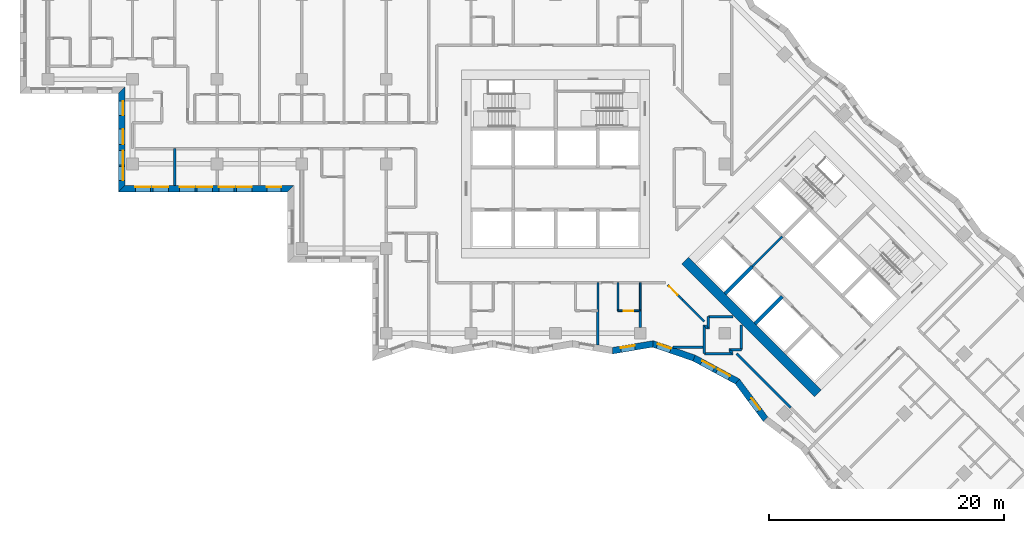
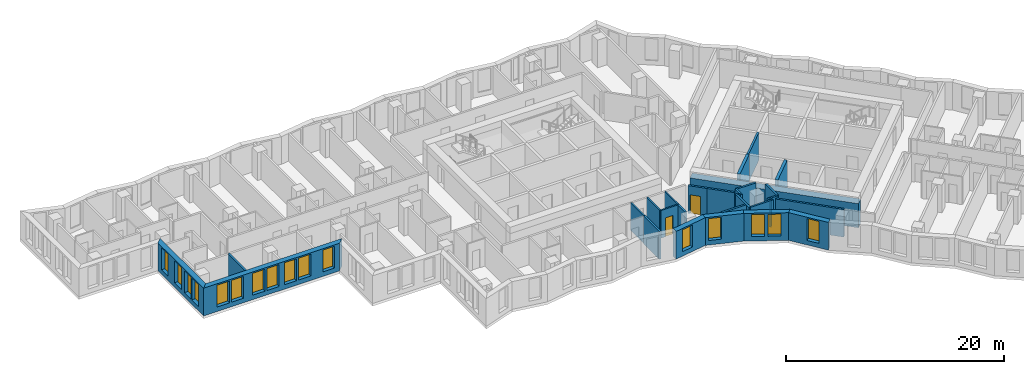
# One storey, part 3 of 13: 29 walls, 16 windows, 2 doors, 18 openings.
"""IFC4 building model written with IfcOpenShell, lengths in metres."""

from ifc_helpers import new_model, si_unit, direction, frame, frame_2d, origin, place, context, subcontext, project, spatial, polyline, rectangle, outline, extrude, material, layer, layer_set, type_object, element, fill, save


model = new_model("IFC4")

# Units and contexts
model_context = context("Model", 3, precision=1e-05, world=origin(), true_north=direction((0.0, 1.0)))
body_context = subcontext(model_context, "Body", "Model", "MODEL_VIEW")
ifc_project = project(units=[si_unit("LENGTHUNIT", "METRE"), si_unit("AREAUNIT", "SQUARE_METRE"), si_unit("VOLUMEUNIT", "CUBIC_METRE"), si_unit("PLANEANGLEUNIT", "RADIAN"), si_unit("MASSUNIT", "GRAM", prefix="KILO")], contexts=[model_context])

# Site, building, storey
site_placement = place(None, origin())
site = spatial("IfcSite", under=ifc_project, at=site_placement, CompositionType="ELEMENT")
building_placement = place(site_placement, origin())
building = spatial("IfcBuilding", under=site, at=building_placement, Name="Windrow Commons", CompositionType="ELEMENT")
storey_placement = place(building_placement, frame((0.0, 0.0, 111.8)))
storey = spatial("IfcBuildingStorey", under=building, at=storey_placement, Name="L30", CompositionType="ELEMENT", Elevation=111.8)

# Wall, openings, windows
ifc_material_1 = material(Name="Brick masonry, red clay brick", Category="masonry")
ifc_layer_1 = layer(ifc_material_1, 0.55)
ifc_layer_set_1 = layer_set([ifc_layer_1], Name="Brick facade wall 550")
wall_type_1 = type_object("IfcWallType", Name="Brick facade wall 550", PredefinedType="SOLIDWALL", material=ifc_layer_set_1)
wall_1_placement = place(storey_placement, frame((27.875, 63.875, 0.0), z_axis=(0.0, 0.0, 1.0), x_axis=(0.0, -1.0, 0.0)))
wall_1 = element("IfcWall", 1, at=wall_1_placement, inside=storey, type_object=wall_type_1, Name="Brick facade wall L30 39", PredefinedType="SOLIDWALL", context=body_context, shape_type="SweptSolid", body=[
    extrude(outline(polyline([(0.275, -0.275), (8.647, -0.275), (8.097, 0.275), (-0.275, 0.275), (0.275, -0.275)])), origin(), (0.0, 0.0, 1.0), 3.1),
])
opening_1_placement = place(wall_1_placement, frame((3.325, 0.0, 0.5)))
opening_1 = element("IfcOpeningElement", 2, at=opening_1_placement, cuts=wall_1, Name="Opening W1P", PredefinedType="OPENING", context=body_context, shape_type="SweptSolid", body=[
    extrude(rectangle(XDim=1.3, YDim=2.45, at=frame_2d((0.65, 1.225))), frame((0.0, 0.285, 0.0), z_axis=(0.0, -1.0, 0.0), x_axis=(1.0, 0.0, 0.0)), (0.0, 0.0, 1.0), 0.57),
])
opening_2_placement = place(wall_1_placement, frame((0.9375, 0.0, 0.5)))
opening_2 = element("IfcOpeningElement", 3, at=opening_2_placement, cuts=wall_1, Name="Opening W7D", PredefinedType="OPENING", context=body_context, shape_type="SweptSolid", body=[
    extrude(rectangle(XDim=1.2, YDim=2.45, at=frame_2d((0.6, 1.225))), frame((0.0, 0.285, 0.0), z_axis=(0.0, -1.0, 0.0), x_axis=(1.0, 0.0, 0.0)), (0.0, 0.0, 1.0), 0.57),
])
opening_3_placement = place(wall_1_placement, frame((6.486, 0.0, 0.5)))
opening_3 = element("IfcOpeningElement", 4, at=opening_3_placement, cuts=wall_1, Name="Opening W7D", PredefinedType="OPENING", context=body_context, shape_type="SweptSolid", body=[
    extrude(rectangle(XDim=1.2, YDim=2.45, at=frame_2d((0.6, 1.225))), frame((0.0, 0.285, 0.0), z_axis=(0.0, -1.0, 0.0), x_axis=(1.0, 0.0, 0.0)), (0.0, 0.0, 1.0), 0.57),
])
opening_4_placement = place(wall_1_placement, frame((5.1555, 0.0, 0.5)))
opening_4 = element("IfcOpeningElement", 5, at=opening_4_placement, cuts=wall_1, Name="Opening W7D", PredefinedType="OPENING", context=body_context, shape_type="SweptSolid", body=[
    extrude(rectangle(XDim=1.2, YDim=2.45, at=frame_2d((0.6, 1.225))), frame((0.0, 0.285, 0.0), z_axis=(0.0, -1.0, 0.0), x_axis=(1.0, 0.0, 0.0)), (0.0, 0.0, 1.0), 0.57),
])
ifc_material_2 = material(Name="Clear float glass in anodised aluminium frame", Category="aluminium")
window_type_1 = type_object("IfcWindowType", Name="Window W1P pair 1300x2450", PartitioningType="SINGLE_PANEL", PredefinedType="WINDOW", material=ifc_material_2)
window_1_placement = place(opening_1_placement, origin())
window_1 = element("IfcWindow", 6, at=window_1_placement, inside=storey, type_object=window_type_1, Name="Window L30 39.1A", OverallHeight=2.45, OverallWidth=1.3, PartitioningType="SINGLE_PANEL", PredefinedType="WINDOW", context=body_context, shape_type="SweptSolid", body=[
    extrude(rectangle(XDim=1.3, YDim=2.45, at=frame_2d((0.65, 1.225))), frame((0.0, 0.155, 0.0), z_axis=(0.0, -1.0, 0.0), x_axis=(1.0, 0.0, 0.0)), (0.0, 0.0, 1.0), 0.06),
])
fill(opening_1, window_1)
ifc_material_3 = material(Name="Clear float glass in anodised aluminium frame", Category="aluminium")
window_type_2 = type_object("IfcWindowType", Name="Window W7 notch 1200x2450", PartitioningType="SINGLE_PANEL", PredefinedType="WINDOW", material=ifc_material_3)
window_2_placement = place(opening_2_placement, origin())
window_2 = element("IfcWindow", 7, at=window_2_placement, inside=storey, type_object=window_type_2, Name="Window L30 39.2", OverallHeight=2.45, OverallWidth=1.2, PartitioningType="SINGLE_PANEL", PredefinedType="WINDOW", context=body_context, shape_type="SweptSolid", body=[
    extrude(rectangle(XDim=1.2, YDim=2.45, at=frame_2d((0.6, 1.225))), frame((0.0, 0.155, 0.0), z_axis=(0.0, -1.0, 0.0), x_axis=(1.0, 0.0, 0.0)), (0.0, 0.0, 1.0), 0.06),
])
fill(opening_2, window_2)
window_3_placement = place(opening_3_placement, origin())
window_3 = element("IfcWindow", 8, at=window_3_placement, inside=storey, type_object=window_type_2, Name="Window L30 39.3", OverallHeight=2.45, OverallWidth=1.2, PartitioningType="SINGLE_PANEL", PredefinedType="WINDOW", context=body_context, shape_type="SweptSolid", body=[
    extrude(rectangle(XDim=1.2, YDim=2.45, at=frame_2d((0.6, 1.225))), frame((0.0, 0.155, 0.0), z_axis=(0.0, -1.0, 0.0), x_axis=(1.0, 0.0, 0.0)), (0.0, 0.0, 1.0), 0.06),
])
fill(opening_3, window_3)
window_4_placement = place(opening_4_placement, origin())
window_4 = element("IfcWindow", 9, at=window_4_placement, inside=storey, type_object=window_type_2, Name="Window L30 39.1BA", OverallHeight=2.45, OverallWidth=1.2, PartitioningType="SINGLE_PANEL", PredefinedType="WINDOW", context=body_context, shape_type="SweptSolid", body=[
    extrude(rectangle(XDim=1.2, YDim=2.45, at=frame_2d((0.6, 1.225))), frame((0.0, 0.155, 0.0), z_axis=(0.0, -1.0, 0.0), x_axis=(1.0, 0.0, 0.0)), (0.0, 0.0, 1.0), 0.06),
])
fill(opening_4, window_4)

wall_2_placement = place(storey_placement, frame((27.875, 55.503, 0.0), z_axis=(0.0, 0.0, 1.0), x_axis=(1.0, 0.0, 0.0)))
wall_2 = element("IfcWall", 10, at=wall_2_placement, inside=storey, type_object=wall_type_1, Name="Brick facade wall L30 40", PredefinedType="SOLIDWALL", context=body_context, shape_type="SweptSolid", body=[
    extrude(outline(polyline([(-0.275, -0.275), (14.125, -0.275), (14.675, 0.275), (0.275, 0.275), (-0.275, -0.275)])), origin(), (0.0, 0.0, 1.0), 3.1),
])
opening_5_placement = place(wall_2_placement, frame((1.175, 0.0, 0.5)))
opening_5 = element("IfcOpeningElement", 11, at=opening_5_placement, cuts=wall_2, Name="Opening W1P", PredefinedType="OPENING", context=body_context, shape_type="SweptSolid", body=[
    extrude(rectangle(XDim=1.3, YDim=2.45, at=frame_2d((0.65, 1.225))), frame((0.0, 0.285, 0.0), z_axis=(0.0, -1.0, 0.0), x_axis=(1.0, 0.0, 0.0)), (0.0, 0.0, 1.0), 0.57),
])
opening_6_placement = place(wall_2_placement, frame((2.675, 0.0, 0.5)))
opening_6 = element("IfcOpeningElement", 12, at=opening_6_placement, cuts=wall_2, Name="Opening W1P", PredefinedType="OPENING", context=body_context, shape_type="SweptSolid", body=[
    extrude(rectangle(XDim=1.3, YDim=2.45, at=frame_2d((0.65, 1.225))), frame((0.0, 0.285, 0.0), z_axis=(0.0, -1.0, 0.0), x_axis=(1.0, 0.0, 0.0)), (0.0, 0.0, 1.0), 0.57),
])
opening_7_placement = place(wall_2_placement, frame((4.925, 0.0, 0.5)))
opening_7 = element("IfcOpeningElement", 13, at=opening_7_placement, cuts=wall_2, Name="Opening W1P", PredefinedType="OPENING", context=body_context, shape_type="SweptSolid", body=[
    extrude(rectangle(XDim=1.3, YDim=2.45, at=frame_2d((0.65, 1.225))), frame((0.0, 0.285, 0.0), z_axis=(0.0, -1.0, 0.0), x_axis=(1.0, 0.0, 0.0)), (0.0, 0.0, 1.0), 0.57),
])
opening_8_placement = place(wall_2_placement, frame((6.425, 0.0, 0.5)))
opening_8 = element("IfcOpeningElement", 14, at=opening_8_placement, cuts=wall_2, Name="Opening W1P", PredefinedType="OPENING", context=body_context, shape_type="SweptSolid", body=[
    extrude(rectangle(XDim=1.3, YDim=2.45, at=frame_2d((0.65, 1.225))), frame((0.0, 0.285, 0.0), z_axis=(0.0, -1.0, 0.0), x_axis=(1.0, 0.0, 0.0)), (0.0, 0.0, 1.0), 0.57),
])
opening_9_placement = place(wall_2_placement, frame((8.275, 0.0, 0.5)))
opening_9 = element("IfcOpeningElement", 15, at=opening_9_placement, cuts=wall_2, Name="Opening W1P", PredefinedType="OPENING", context=body_context, shape_type="SweptSolid", body=[
    extrude(rectangle(XDim=1.3, YDim=2.45, at=frame_2d((0.65, 1.225))), frame((0.0, 0.285, 0.0), z_axis=(0.0, -1.0, 0.0), x_axis=(1.0, 0.0, 0.0)), (0.0, 0.0, 1.0), 0.57),
])
opening_10_placement = place(wall_2_placement, frame((9.775, 0.0, 0.5)))
opening_10 = element("IfcOpeningElement", 16, at=opening_10_placement, cuts=wall_2, Name="Opening W1P", PredefinedType="OPENING", context=body_context, shape_type="SweptSolid", body=[
    extrude(rectangle(XDim=1.3, YDim=2.45, at=frame_2d((0.65, 1.225))), frame((0.0, 0.285, 0.0), z_axis=(0.0, -1.0, 0.0), x_axis=(1.0, 0.0, 0.0)), (0.0, 0.0, 1.0), 0.57),
])
opening_11_placement = place(wall_2_placement, frame((12.3625, 0.0, 0.5)))
opening_11 = element("IfcOpeningElement", 17, at=opening_11_placement, cuts=wall_2, Name="Opening W7D", PredefinedType="OPENING", context=body_context, shape_type="SweptSolid", body=[
    extrude(rectangle(XDim=1.2, YDim=2.45, at=frame_2d((0.6, 1.225))), frame((0.0, 0.285, 0.0), z_axis=(0.0, -1.0, 0.0), x_axis=(1.0, 0.0, 0.0)), (0.0, 0.0, 1.0), 0.57),
])
window_5_placement = place(opening_5_placement, origin())
window_5 = element("IfcWindow", 18, at=window_5_placement, inside=storey, type_object=window_type_1, Name="Window L30 40.1A", OverallHeight=2.45, OverallWidth=1.3, PartitioningType="SINGLE_PANEL", PredefinedType="WINDOW", context=body_context, shape_type="SweptSolid", body=[
    extrude(rectangle(XDim=1.3, YDim=2.45, at=frame_2d((0.65, 1.225))), frame((0.0, 0.155, 0.0), z_axis=(0.0, -1.0, 0.0), x_axis=(1.0, 0.0, 0.0)), (0.0, 0.0, 1.0), 0.06),
])
fill(opening_5, window_5)
window_6_placement = place(opening_6_placement, origin())
window_6 = element("IfcWindow", 19, at=window_6_placement, inside=storey, type_object=window_type_1, Name="Window L30 40.1B", OverallHeight=2.45, OverallWidth=1.3, PartitioningType="SINGLE_PANEL", PredefinedType="WINDOW", context=body_context, shape_type="SweptSolid", body=[
    extrude(rectangle(XDim=1.3, YDim=2.45, at=frame_2d((0.65, 1.225))), frame((0.0, 0.155, 0.0), z_axis=(0.0, -1.0, 0.0), x_axis=(1.0, 0.0, 0.0)), (0.0, 0.0, 1.0), 0.06),
])
fill(opening_6, window_6)
window_7_placement = place(opening_7_placement, origin())
window_7 = element("IfcWindow", 20, at=window_7_placement, inside=storey, type_object=window_type_1, Name="Window L30 40.2A", OverallHeight=2.45, OverallWidth=1.3, PartitioningType="SINGLE_PANEL", PredefinedType="WINDOW", context=body_context, shape_type="SweptSolid", body=[
    extrude(rectangle(XDim=1.3, YDim=2.45, at=frame_2d((0.65, 1.225))), frame((0.0, 0.155, 0.0), z_axis=(0.0, -1.0, 0.0), x_axis=(1.0, 0.0, 0.0)), (0.0, 0.0, 1.0), 0.06),
])
fill(opening_7, window_7)
window_8_placement = place(opening_8_placement, origin())
window_8 = element("IfcWindow", 21, at=window_8_placement, inside=storey, type_object=window_type_1, Name="Window L30 40.2B", OverallHeight=2.45, OverallWidth=1.3, PartitioningType="SINGLE_PANEL", PredefinedType="WINDOW", context=body_context, shape_type="SweptSolid", body=[
    extrude(rectangle(XDim=1.3, YDim=2.45, at=frame_2d((0.65, 1.225))), frame((0.0, 0.155, 0.0), z_axis=(0.0, -1.0, 0.0), x_axis=(1.0, 0.0, 0.0)), (0.0, 0.0, 1.0), 0.06),
])
fill(opening_8, window_8)
window_9_placement = place(opening_9_placement, origin())
window_9 = element("IfcWindow", 22, at=window_9_placement, inside=storey, type_object=window_type_1, Name="Window L30 40.3A", OverallHeight=2.45, OverallWidth=1.3, PartitioningType="SINGLE_PANEL", PredefinedType="WINDOW", context=body_context, shape_type="SweptSolid", body=[
    extrude(rectangle(XDim=1.3, YDim=2.45, at=frame_2d((0.65, 1.225))), frame((0.0, 0.155, 0.0), z_axis=(0.0, -1.0, 0.0), x_axis=(1.0, 0.0, 0.0)), (0.0, 0.0, 1.0), 0.06),
])
fill(opening_9, window_9)
window_10_placement = place(opening_10_placement, origin())
window_10 = element("IfcWindow", 23, at=window_10_placement, inside=storey, type_object=window_type_1, Name="Window L30 40.3B", OverallHeight=2.45, OverallWidth=1.3, PartitioningType="SINGLE_PANEL", PredefinedType="WINDOW", context=body_context, shape_type="SweptSolid", body=[
    extrude(rectangle(XDim=1.3, YDim=2.45, at=frame_2d((0.65, 1.225))), frame((0.0, 0.155, 0.0), z_axis=(0.0, -1.0, 0.0), x_axis=(1.0, 0.0, 0.0)), (0.0, 0.0, 1.0), 0.06),
])
fill(opening_10, window_10)
window_11_placement = place(opening_11_placement, origin())
window_11 = element("IfcWindow", 24, at=window_11_placement, inside=storey, type_object=window_type_2, Name="Window L30 40.4", OverallHeight=2.45, OverallWidth=1.2, PartitioningType="SINGLE_PANEL", PredefinedType="WINDOW", context=body_context, shape_type="SweptSolid", body=[
    extrude(rectangle(XDim=1.2, YDim=2.45, at=frame_2d((0.6, 1.225))), frame((0.0, 0.155, 0.0), z_axis=(0.0, -1.0, 0.0), x_axis=(1.0, 0.0, 0.0)), (0.0, 0.0, 1.0), 0.06),
])
fill(opening_11, window_11)

# Wall, opening, window
wall_3_placement = place(storey_placement, frame((69.6528, 41.7068, 0.0), z_axis=(0.0, 0.0, 1.0), x_axis=(0.9862084709, 0.1655078606, 0.0)))
wall_3 = element("IfcWall", 25, at=wall_3_placement, inside=storey, type_object=wall_type_1, Name="Brick facade wall L30 50", PredefinedType="SOLIDWALL", context=body_context, shape_type="SweptSolid", body=[
    extrude(outline(polyline([(-0.0461, -0.275), (3.4103, -0.275), (3.55, 0.275), (0.0461, 0.275), (-0.0461, -0.275)])), origin(), (0.0, 0.0, 1.0), 3.1),
])
opening_12_placement = place(wall_3_placement, frame((0.7131, 0.0, 0.5)))
opening_12 = element("IfcOpeningElement", 26, at=opening_12_placement, cuts=wall_3, Name="Opening W7D", PredefinedType="OPENING", context=body_context, shape_type="SweptSolid", body=[
    extrude(rectangle(XDim=1.2, YDim=2.45, at=frame_2d((0.6, 1.225))), frame((0.0, 0.285, 0.0), z_axis=(0.0, -1.0, 0.0), x_axis=(1.0, 0.0, 0.0)), (0.0, 0.0, 1.0), 0.57),
])
window_12_placement = place(opening_12_placement, origin())
window_12 = element("IfcWindow", 27, at=window_12_placement, inside=storey, type_object=window_type_2, Name="Window L30 50.1", OverallHeight=2.45, OverallWidth=1.2, PartitioningType="SINGLE_PANEL", PredefinedType="WINDOW", context=body_context, shape_type="SweptSolid", body=[
    extrude(rectangle(XDim=1.2, YDim=2.45, at=frame_2d((0.6, 1.225))), frame((0.0, 0.155, 0.0), z_axis=(0.0, -1.0, 0.0), x_axis=(1.0, 0.0, 0.0)), (0.0, 0.0, 1.0), 0.06),
])
fill(opening_12, window_12)

wall_4_placement = place(storey_placement, frame((73.085, 42.2828, 0.0), z_axis=(0.0, 0.0, 1.0), x_axis=(0.9456660696, -0.3251394852, 0.0)))
wall_4 = element("IfcWall", 28, at=wall_4_placement, inside=storey, type_object=wall_type_1, Name="Brick facade wall L30 51", PredefinedType="SOLIDWALL", context=body_context, shape_type="SweptSolid", body=[
    extrude(outline(polyline([(0.0698, -0.275), (3.6745, -0.275), (3.7199, 0.275), (-0.0698, 0.275), (0.0698, -0.275)])), origin(), (0.0, 0.0, 1.0), 3.1),
])
opening_13_placement = place(wall_4_placement, frame((0.3797, 0.0, 0.5)))
opening_13 = element("IfcOpeningElement", 29, at=opening_13_placement, cuts=wall_4, Name="Opening W7D", PredefinedType="OPENING", context=body_context, shape_type="SweptSolid", body=[
    extrude(rectangle(XDim=1.2, YDim=2.45, at=frame_2d((0.6, 1.225))), frame((0.0, 0.285, 0.0), z_axis=(0.0, -1.0, 0.0), x_axis=(1.0, 0.0, 0.0)), (0.0, 0.0, 1.0), 0.57),
])
window_13_placement = place(opening_13_placement, origin())
window_13 = element("IfcWindow", 30, at=window_13_placement, inside=storey, type_object=window_type_2, Name="Window L30 51.1", OverallHeight=2.45, OverallWidth=1.2, PartitioningType="SINGLE_PANEL", PredefinedType="WINDOW", context=body_context, shape_type="SweptSolid", body=[
    extrude(rectangle(XDim=1.2, YDim=2.45, at=frame_2d((0.6, 1.225))), frame((0.0, 0.155, 0.0), z_axis=(0.0, -1.0, 0.0), x_axis=(1.0, 0.0, 0.0)), (0.0, 0.0, 1.0), 0.06),
])
fill(opening_13, window_13)

# Wall, openings, windows
wall_5_placement = place(storey_placement, frame((76.5813, 41.0807, 0.0), z_axis=(0.0, 0.0, 1.0), x_axis=(0.8794967773, -0.475904842, 0.0)))
wall_5 = element("IfcWall", 31, at=wall_5_placement, inside=storey, type_object=wall_type_1, Name="Brick facade wall L30 52", PredefinedType="SOLIDWALL", context=body_context, shape_type="SweptSolid", body=[
    extrude(outline(polyline([(0.0227, -0.275), (4.1295, -0.275), (4.2507, 0.275), (-0.0227, 0.275), (0.0227, -0.275)])), origin(), (0.0, 0.0, 1.0), 3.1),
])
opening_14_placement = place(wall_5_placement, frame((0.7287, 0.0, 0.5)))
opening_14 = element("IfcOpeningElement", 32, at=opening_14_placement, cuts=wall_5, Name="Opening W7D", PredefinedType="OPENING", context=body_context, shape_type="SweptSolid", body=[
    extrude(rectangle(XDim=1.2, YDim=2.45, at=frame_2d((0.6, 1.225))), frame((0.0, 0.285, 0.0), z_axis=(0.0, -1.0, 0.0), x_axis=(1.0, 0.0, 0.0)), (0.0, 0.0, 1.0), 0.57),
])
opening_15_placement = place(wall_5_placement, frame((2.2237, 0.0, 0.5)))
opening_15 = element("IfcOpeningElement", 33, at=opening_15_placement, cuts=wall_5, Name="Opening W7D", PredefinedType="OPENING", context=body_context, shape_type="SweptSolid", body=[
    extrude(rectangle(XDim=1.2, YDim=2.45, at=frame_2d((0.6, 1.225))), frame((0.0, 0.285, 0.0), z_axis=(0.0, -1.0, 0.0), x_axis=(1.0, 0.0, 0.0)), (0.0, 0.0, 1.0), 0.57),
])
window_14_placement = place(opening_14_placement, origin())
window_14 = element("IfcWindow", 34, at=window_14_placement, inside=storey, type_object=window_type_2, Name="Window L30 52.1", OverallHeight=2.45, OverallWidth=1.2, PartitioningType="SINGLE_PANEL", PredefinedType="WINDOW", context=body_context, shape_type="SweptSolid", body=[
    extrude(rectangle(XDim=1.2, YDim=2.45, at=frame_2d((0.6, 1.225))), frame((0.0, 0.155, 0.0), z_axis=(0.0, -1.0, 0.0), x_axis=(1.0, 0.0, 0.0)), (0.0, 0.0, 1.0), 0.06),
])
fill(opening_14, window_14)
window_15_placement = place(opening_15_placement, origin())
window_15 = element("IfcWindow", 35, at=window_15_placement, inside=storey, type_object=window_type_2, Name="Window L30 52.2", OverallHeight=2.45, OverallWidth=1.2, PartitioningType="SINGLE_PANEL", PredefinedType="WINDOW", context=body_context, shape_type="SweptSolid", body=[
    extrude(rectangle(XDim=1.2, YDim=2.45, at=frame_2d((0.6, 1.225))), frame((0.0, 0.155, 0.0), z_axis=(0.0, -1.0, 0.0), x_axis=(1.0, 0.0, 0.0)), (0.0, 0.0, 1.0), 0.06),
])
fill(opening_15, window_15)

# Wall, opening, window
wall_6_placement = place(storey_placement, frame((80.2665, 39.0866, 0.0), z_axis=(0.0, 0.0, 1.0), x_axis=(0.5980693066, -0.8014443864, 0.0)))
wall_6 = element("IfcWall", 36, at=wall_6_placement, inside=storey, type_object=wall_type_1, Name="Brick facade wall L30 53", PredefinedType="SOLIDWALL", context=body_context, shape_type="SweptSolid", body=[
    extrude(outline(polyline([(0.0606, -0.275), (4.038, -0.275), (3.958, 0.275), (-0.0606, 0.275), (0.0606, -0.275)])), origin(), (0.0, 0.0, 1.0), 3.1),
])
opening_16_placement = place(wall_6_placement, frame((1.8714, 0.0, 0.5)))
opening_16 = element("IfcOpeningElement", 37, at=opening_16_placement, cuts=wall_6, Name="Opening W7D", PredefinedType="OPENING", context=body_context, shape_type="SweptSolid", body=[
    extrude(rectangle(XDim=1.2, YDim=2.45, at=frame_2d((0.6, 1.225))), frame((0.0, 0.285, 0.0), z_axis=(0.0, -1.0, 0.0), x_axis=(1.0, 0.0, 0.0)), (0.0, 0.0, 1.0), 0.57),
])
window_16_placement = place(opening_16_placement, origin())
window_16 = element("IfcWindow", 38, at=window_16_placement, inside=storey, type_object=window_type_2, Name="Window L30 53.1", OverallHeight=2.45, OverallWidth=1.2, PartitioningType="SINGLE_PANEL", PredefinedType="WINDOW", context=body_context, shape_type="SweptSolid", body=[
    extrude(rectangle(XDim=1.2, YDim=2.45, at=frame_2d((0.6, 1.225))), frame((0.0, 0.155, 0.0), z_axis=(0.0, -1.0, 0.0), x_axis=(1.0, 0.0, 0.0)), (0.0, 0.0, 1.0), 0.06),
])
fill(opening_16, window_16)

# Walls
ifc_material_4 = material(Name="Blockwork partition", Category="masonry")
ifc_layer_2 = layer(ifc_material_4, 0.2)
ifc_layer_set_2 = layer_set([ifc_layer_2], Name="Fire lobby partition 200")
wall_type_2 = type_object("IfcWallType", Name="Fire lobby partition 200", PredefinedType="PARTITIONING", material=ifc_layer_set_2)
wall_7_placement = place(storey_placement, frame((81.5335, 48.8776, 0.0), z_axis=(0.0, 0.0, 1.0), x_axis=(0.707092892, 0.7071206701, 0.0)))
element("IfcWall", 39, at=wall_7_placement, inside=storey, type_object=wall_type_2, Name="W-core-lobby-B-L30", PredefinedType="PARTITIONING", context=body_context, shape_type="SweptSolid", body=[
    extrude(rectangle(XDim=3.6, YDim=0.2, at=frame_2d((1.8, 0.0))), origin(), (0.0, 0.0, 1.0), 3.1),
])
ifc_material_5 = material(Name="Blockwork partition", Category="masonry")
ifc_layer_3 = layer(ifc_material_5, 0.2)
ifc_layer_set_3 = layer_set([ifc_layer_3], Name="IW-CORRIDOR-200")
wall_type_3 = type_object("IfcWallType", Name="IW-CORRIDOR-200", PredefinedType="PARTITIONING", material=ifc_layer_set_3)
wall_8_placement = place(storey_placement, frame((80.1973, 41.4533, 0.0), z_axis=(0.0, 0.0, 1.0), x_axis=(0.7071067812, -0.7071067812, 0.0)))
element("IfcWall", 40, at=wall_8_placement, inside=storey, type_object=wall_type_3, Name="W-L30-W026", PredefinedType="PARTITIONING", context=body_context, shape_type="SweptSolid", body=[
    extrude(rectangle(XDim=6.4884, YDim=0.2, at=frame_2d((3.2442, 0.0))), origin(), (0.0, 0.0, 1.0), 3.1),
])
wall_9_placement = place(storey_placement, frame((75.5982, 46.0402, 0.0), z_axis=(0.0, 0.0, 1.0), x_axis=(0.7074891043, -0.7067242512, 0.0)))
element("IfcWall", 41, at=wall_9_placement, inside=storey, type_object=wall_type_3, Name="W-L30-W079", PredefinedType="PARTITIONING", context=body_context, shape_type="SweptSolid", body=[
    extrude(rectangle(XDim=2.6149, YDim=0.2, at=frame_2d((1.3075, 0.0))), origin(), (0.0, 0.0, 1.0), 3.1),
])
for number, where, z_axis, x_axis, name in (
    (42, (77.802, 44.6, 0.0), (0.0, 0.0, 1.0), (1.0, 0.0, 0.0), "W-L30-W133"),
    (43, (80.6, 41.802, 0.0), (0.0, 0.0, 1.0), (0.0, 1.0, 0.0), "W-L30-W134"),
):
    element("IfcWall", number, at=place(storey_placement, frame(where, z_axis=z_axis, x_axis=x_axis)), inside=storey, type_object=wall_type_3, Name=name, PredefinedType="PARTITIONING", context=body_context, shape_type="SweptSolid", body=[
        extrude(rectangle(XDim=2.098, YDim=0.2, at=frame_2d((1.049, 0.0))), origin(), (0.0, 0.0, 1.0), 3.1),
    ])

# Wall, opening, door
wall_10_placement = place(storey_placement, frame((74.3393, 47.2973, 0.0), z_axis=(0.0, 0.0, 1.0), x_axis=(0.7071067812, -0.7071067812, 0.0)))
wall_10 = element("IfcWall", 44, at=wall_10_placement, inside=storey, type_object=wall_type_3, Name="W-L30-W156", PredefinedType="PARTITIONING", context=body_context, shape_type="SweptSolid", body=[
    extrude(rectangle(XDim=1.7791, YDim=0.2, at=frame_2d((0.8895, 0.0))), origin(), (0.0, 0.0, 1.0), 3.1),
])
opening_17_placement = place(wall_10_placement, frame((0.1857, 0.0, 0.0)))
opening_17 = element("IfcOpeningElement", 45, at=opening_17_placement, cuts=wall_10, Name="Opening D310F", PredefinedType="OPENING", context=body_context, shape_type="SweptSolid", body=[
    extrude(rectangle(XDim=1.0, YDim=2.1, at=frame_2d((0.5, 1.05))), frame((0.0, 0.11, 0.0), z_axis=(0.0, -1.0, 0.0), x_axis=(1.0, 0.0, 0.0)), (0.0, 0.0, 1.0), 0.22),
])
ifc_material_6 = material(Name="Timber door leaf", Category="wood")
door_type_1 = type_object("IfcDoorType", Name="DT-AMENITY-1000", OperationType="SINGLE_SWING_LEFT", PredefinedType="DOOR", material=ifc_material_6)
door_1_placement = place(opening_17_placement, origin())
door_1 = element("IfcDoor", 46, at=door_1_placement, inside=storey, type_object=door_type_1, Name="D-L30-D018", OperationType="SINGLE_SWING_LEFT", OverallHeight=2.1, OverallWidth=1.0, PredefinedType="DOOR", context=body_context, shape_type="SweptSolid", body=[
    extrude(rectangle(XDim=1.0, YDim=2.1, at=frame_2d((0.5, 1.05))), frame((0.0, 0.025, 0.0), z_axis=(0.0, -1.0, 0.0), x_axis=(1.0, 0.0, 0.0)), (0.0, 0.0, 1.0), 0.05),
])
fill(opening_17, door_1)

# Walls
for number, where, z_axis, x_axis, name in (
    (47, (77.8, 43.56, 0.0), (0.0, 0.0, 1.0), (0.0, 1.0, 0.0), "W-L30-W168"),
    (48, (79.56, 41.8, 0.0), (0.0, 0.0, 1.0), (1.0, 0.0, 0.0), "W-L30-W169"),
):
    element("IfcWall", number, at=place(storey_placement, frame(where, z_axis=z_axis, x_axis=x_axis)), inside=storey, type_object=wall_type_3, Name=name, PredefinedType="PARTITIONING", context=body_context, shape_type="SweptSolid", body=[
        extrude(rectangle(XDim=1.04, YDim=0.2, at=frame_2d((0.52, 0.0))), origin(), (0.0, 0.0, 1.0), 3.1),
    ])
for number, where, z_axis, x_axis, name in (
    (49, (79.6488, 41.7049, 0.0), (0.0, 0.0, 1.0), (0.7068844555, -0.707329037, 0.0), "W-L30-W206"),
    (50, (77.5458, 43.8078, 0.0), (0.0, 0.0, 1.0), (0.707329037, -0.7068844555, 0.0), "W-L30-W207"),
):
    element("IfcWall", number, at=place(storey_placement, frame(where, z_axis=z_axis, x_axis=x_axis)), inside=storey, type_object=wall_type_3, Name=name, PredefinedType="PARTITIONING", context=body_context, shape_type="SweptSolid", body=[
        extrude(rectangle(XDim=0.2249, YDim=0.2, at=frame_2d((0.1124, 0.0))), origin(), (0.0, 0.0, 1.0), 3.1),
    ])
ifc_material_7 = material(Name="Blockwork partition", Category="masonry")
ifc_layer_4 = layer(ifc_material_7, 0.15)
ifc_layer_set_4 = layer_set([ifc_layer_4], Name="IW-ENSUITE-150")
wall_type_4 = type_object("IfcWallType", Name="IW-ENSUITE-150", PredefinedType="PARTITIONING", material=ifc_layer_set_4)
for number, where, z_axis, x_axis, name in (
    (51, (68.4, 45.1, 0.0), (0.0, 0.0, 1.0), (0.0, 1.0, 0.0), "W-L30-W102"),
    (52, (70.1, 45.1, 0.0), (0.0, 0.0, 1.0), (0.0, 1.0, 0.0), "W-L30-W103"),
    (53, (72.0, 45.1, 0.0), (0.0, 0.0, 1.0), (0.0, 1.0, 0.0), "W-L30-W104"),
):
    element("IfcWall", number, at=place(storey_placement, frame(where, z_axis=z_axis, x_axis=x_axis)), inside=storey, type_object=wall_type_4, Name=name, PredefinedType="PARTITIONING", context=body_context, shape_type="SweptSolid", body=[
        extrude(rectangle(XDim=2.4, YDim=0.15, at=frame_2d((1.2, 0.0))), origin(), (0.0, 0.0, 1.0), 3.1),
    ])

# Wall, opening, door
wall_11_placement = place(storey_placement, frame((70.1, 45.1, 0.0), z_axis=(0.0, 0.0, 1.0), x_axis=(1.0, 0.0, 0.0)))
wall_11 = element("IfcWall", 54, at=wall_11_placement, inside=storey, type_object=wall_type_4, Name="W-L30-W141", PredefinedType="PARTITIONING", context=body_context, shape_type="SweptSolid", body=[
    extrude(rectangle(XDim=1.9, YDim=0.15, at=frame_2d((0.95, 0.0))), origin(), (0.0, 0.0, 1.0), 3.1),
])
opening_18_placement = place(wall_11_placement, frame((0.4931, 0.0, 0.0)))
opening_18 = element("IfcOpeningElement", 55, at=opening_18_placement, cuts=wall_11, Name="Opening D208N", PredefinedType="OPENING", context=body_context, shape_type="SweptSolid", body=[
    extrude(rectangle(XDim=0.8, YDim=2.1, at=frame_2d((0.4, 1.05))), frame((0.0, 0.085, 0.0), z_axis=(0.0, -1.0, 0.0), x_axis=(1.0, 0.0, 0.0)), (0.0, 0.0, 1.0), 0.17),
])
ifc_material_8 = material(Name="Timber door leaf", Category="wood")
door_type_2 = type_object("IfcDoorType", Name="DT-ENSUITE-800", OperationType="SINGLE_SWING_LEFT", PredefinedType="DOOR", material=ifc_material_8)
door_2_placement = place(opening_18_placement, origin())
door_2 = element("IfcDoor", 56, at=door_2_placement, inside=storey, type_object=door_type_2, Name="D-L30-D017", OperationType="SINGLE_SWING_RIGHT", OverallHeight=2.1, OverallWidth=0.8, PredefinedType="DOOR", context=body_context, shape_type="SweptSolid", body=[
    extrude(rectangle(XDim=0.8, YDim=2.1, at=frame_2d((0.4, 1.05))), frame((0.0, 0.025, 0.0), z_axis=(0.0, -1.0, 0.0), x_axis=(1.0, 0.0, 0.0)), (0.0, 0.0, 1.0), 0.05),
])
fill(opening_18, door_2)

# Walls
ifc_material_9 = material(Name="Blockwork partition", Category="masonry")
ifc_layer_5 = layer(ifc_material_9, 0.2)
ifc_layer_set_5 = layer_set([ifc_layer_5], Name="IW-PARTY-200")
wall_type_5 = type_object("IfcWallType", Name="IW-PARTY-200", PredefinedType="PARTITIONING", material=ifc_layer_set_5)
wall_12_placement = place(storey_placement, frame((32.4, 55.778, 0.0), z_axis=(0.0, 0.0, 1.0), x_axis=(0.0, 1.0, 0.0)))
element("IfcWall", 57, at=wall_12_placement, inside=storey, type_object=wall_type_5, Name="W-L30-W060", PredefinedType="PARTITIONING", context=body_context, shape_type="SweptSolid", body=[
    extrude(rectangle(XDim=3.122, YDim=0.2, at=frame_2d((1.561, 0.0))), origin(), (0.0, 0.0, 1.0), 3.1),
])
wall_13_placement = place(storey_placement, frame((68.4, 42.1959, 0.0), z_axis=(0.0, 0.0, 1.0), x_axis=(0.0, 1.0, 0.0)))
element("IfcWall", 58, at=wall_13_placement, inside=storey, type_object=wall_type_5, Name="W-L30-W066", PredefinedType="PARTITIONING", context=body_context, shape_type="SweptSolid", body=[
    extrude(rectangle(XDim=2.9041, YDim=0.2, at=frame_2d((1.4521, 0.0))), origin(), (0.0, 0.0, 1.0), 3.1),
])
wall_14_placement = place(storey_placement, frame((74.8032, 42.0, 0.0), z_axis=(0.0, 0.0, 1.0), x_axis=(1.0, 0.0, 0.0)))
element("IfcWall", 59, at=wall_14_placement, inside=storey, type_object=wall_type_5, Name="W-L30-W078", PredefinedType="PARTITIONING", context=body_context, shape_type="SweptSolid", body=[
    extrude(rectangle(XDim=2.6468, YDim=0.2, at=frame_2d((1.3234, 0.0))), origin(), (0.0, 0.0, 1.0), 3.1),
])
for number, where, z_axis, x_axis, name in (
    (60, (77.45, 41.452, 0.0), (0.0, 0.0, 1.0), (0.0, 1.0, 0.0), "W-L30-W083"),
    (61, (77.452, 41.45, 0.0), (0.0, 0.0, 1.0), (1.0, 0.0, 0.0), "W-L30-W084"),
):
    element("IfcWall", number, at=place(storey_placement, frame(where, z_axis=z_axis, x_axis=x_axis)), inside=storey, type_object=wall_type_5, Name=name, PredefinedType="PARTITIONING", context=body_context, shape_type="SweptSolid", body=[
        extrude(rectangle(XDim=2.458, YDim=0.2, at=frame_2d((1.229, 0.0))), origin(), (0.0, 0.0, 1.0), 3.1),
    ])
wall_15_placement = place(storey_placement, frame((72.0, 43.7, 0.0), z_axis=(0.0, 0.0, 1.0), x_axis=(0.0, 1.0, 0.0)))
element("IfcWall", 62, at=wall_15_placement, inside=storey, type_object=wall_type_5, Name="W-L30-W162", PredefinedType="PARTITIONING", context=body_context, shape_type="SweptSolid", body=[
    extrude(rectangle(XDim=1.4, YDim=0.2, at=frame_2d((0.7, 0.0))), origin(), (0.0, 0.0, 1.0), 3.1),
])
ifc_material_10 = material(Name="Concrete C50/60", Category="concrete")
ifc_layer_6 = layer(ifc_material_10, 0.8)
ifc_layer_set_6 = layer_set([ifc_layer_6], Name="RC CORE WALL 800 C50/60")
wall_type_6 = type_object("IfcWallType", Name="RC CORE WALL 800 C50/60", PredefinedType="SHEAR", material=ifc_layer_set_6)
wall_16_placement = place(storey_placement, frame((75.8059, 49.3726, -0.3), z_axis=(0.0, 0.0, 1.0), x_axis=(0.7071067812, -0.7071067812, 0.0)))
element("IfcWall", 63, at=wall_16_placement, inside=storey, type_object=wall_type_6, Name="Core B wall outer-S", PredefinedType="SHEAR", context=body_context, shape_type="SweptSolid", body=[
    extrude(rectangle(XDim=16.0, YDim=0.8, at=frame_2d((8.0, 0.0))), origin(), (0.0, 0.0, 1.0), 2.7),
])
ifc_material_11 = material(Name="Concrete C50/60", Category="concrete")
ifc_layer_7 = layer(ifc_material_11, 0.3)
ifc_layer_set_7 = layer_set([ifc_layer_7], Name="RC SHAFT WALL 300 C50/60")
wall_type_7 = type_object("IfcWallType", Name="RC SHAFT WALL 300 C50/60", PredefinedType="SOLIDWALL", material=ifc_layer_set_7)
wall_17_placement = place(storey_placement, frame((79.2, 46.5442, 0.0), z_axis=(0.0, 0.0, 1.0), x_axis=(0.7071219326, 0.7070916295, 0.0)))
element("IfcWall", 64, at=wall_17_placement, inside=storey, type_object=wall_type_7, Name="Core B wall shaft-S1", PredefinedType="SOLIDWALL", context=body_context, shape_type="SweptSolid", body=[
    extrude(rectangle(XDim=3.3, YDim=0.3, at=frame_2d((1.65, 0.0))), origin(), (0.0, 0.0, 1.0), 3.1),
])
wall_18_placement = place(storey_placement, frame((81.7456, 43.9986, 0.0), z_axis=(0.0, 0.0, 1.0), x_axis=(0.7071067812, 0.7071067812, 0.0)))
element("IfcWall", 65, at=wall_18_placement, inside=storey, type_object=wall_type_7, Name="Core B wall shaft-S2", PredefinedType="SOLIDWALL", context=body_context, shape_type="SweptSolid", body=[
    extrude(rectangle(XDim=3.2999, YDim=0.3, at=frame_2d((1.65, 0.0))), origin(), (0.0, 0.0, 1.0), 3.1),
])

save(model, "model.ifc")
